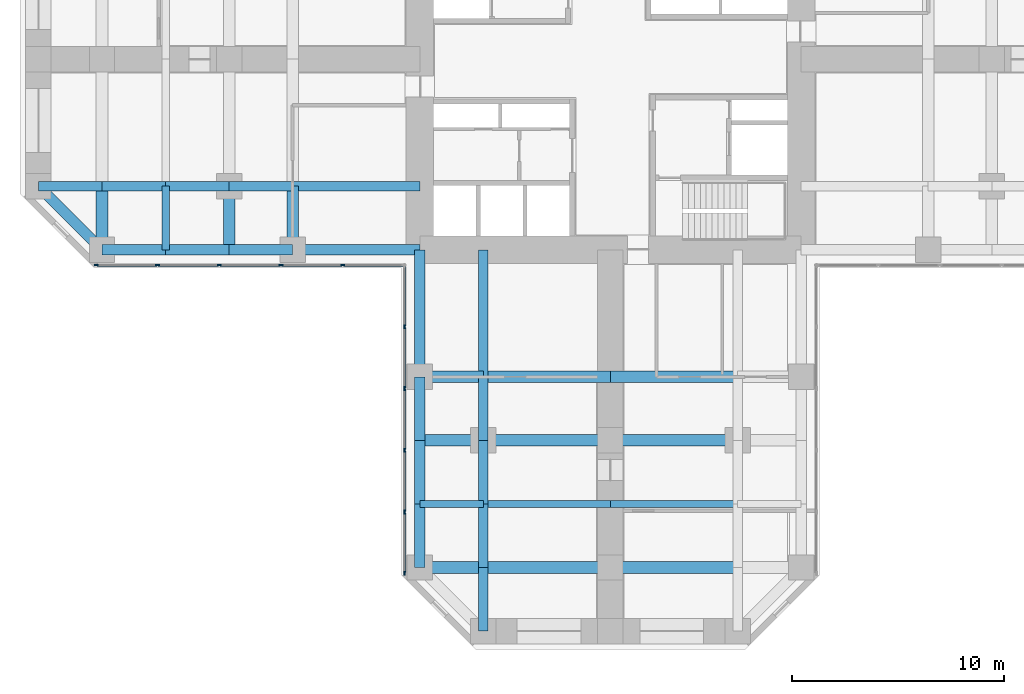
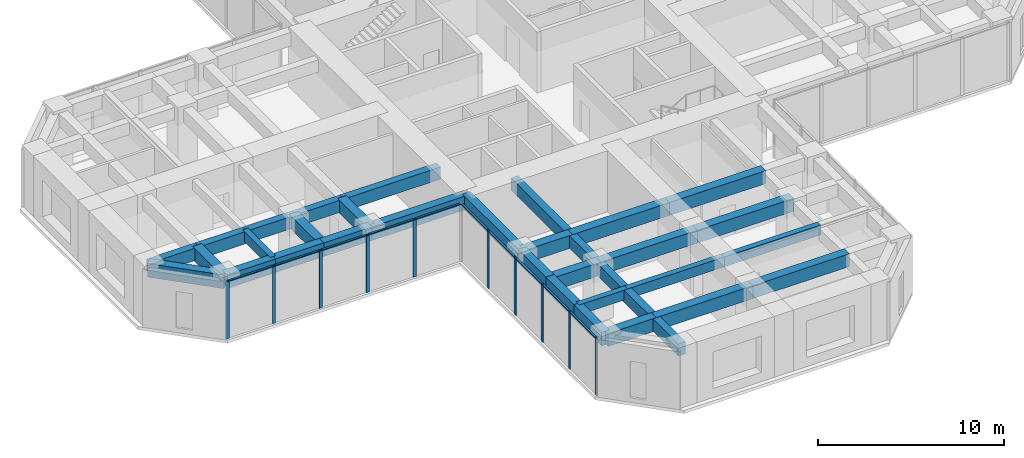
# One storey, part 2 of 12: 35 beams, 20 members, 2 elements without a shape of their own.
"""IFC4 building model written with IfcOpenShell, lengths in metres."""

from ifc_helpers import new_model, si_unit, direction, frame, origin, origin_2d, place, context, subcontext, project, spatial, rectangle, extrude, material, material_profile, profile_set, type_object, element, aggregate, save


model = new_model("IFC4")

# Units and contexts
model_context = context("Model", 3, precision=1e-05, world=origin(), true_north=direction((0.0, 1.0)))
body_context = subcontext(model_context, "Body", "Model", "MODEL_VIEW")
ifc_project = project(units=[si_unit("LENGTHUNIT", "METRE"), si_unit("AREAUNIT", "SQUARE_METRE"), si_unit("VOLUMEUNIT", "CUBIC_METRE"), si_unit("PLANEANGLEUNIT", "RADIAN"), si_unit("MASSUNIT", "GRAM", prefix="KILO")], contexts=[model_context])

# Site, building, storey
site_placement = place(None, origin())
site = spatial("IfcSite", under=ifc_project, at=site_placement, CompositionType="ELEMENT")
building_placement = place(site_placement, origin())
building = spatial("IfcBuilding", under=site, at=building_placement, Name="Torre Cruceta", CompositionType="ELEMENT")
storey_placement = place(building_placement, frame((0.0, 0.0, 75.5)))
storey = spatial("IfcBuildingStorey", under=building, at=storey_placement, Name="L18", CompositionType="ELEMENT", Elevation=75.5)

# Beams
ifc_material_1 = material(Name="Concrete G60 (fck 60 MPa)", Category="concrete")
ifc_material_profile_1 = material_profile(ifc_material_1, rectangle(XDim=0.449951171875, YDim=0.800048828125, at=origin_2d()), Name="RC 450X800")
ifc_profile_set_1 = profile_set([ifc_material_profile_1], Name="Concrete G60 (fck 60 MPa)")
beam_type_1 = type_object("IfcBeamType", Name="COLUMN LINE BEAM RC 450X800", PredefinedType="BEAM", material=ifc_profile_set_1)
beam_1_placement = place(storey_placement, frame((-6.0, -9.0, 3.39990234375), z_axis=(0.0, -1.0, 0.0), x_axis=(1.0, 0.0, 0.0)))
element("IfcBeam", 1, at=beam_1_placement, inside=storey, type_object=beam_type_1, Name="LB1 L18 S col- 1", PredefinedType="BEAM", context=body_context, shape_type="SweptSolid", body=[
    extrude(rectangle(XDim=0.449951171875, YDim=0.800048828125, at=origin_2d()), origin(), (0.0, 0.0, 1.0), 6.0),
])
for number, where, z_axis, x_axis, name in (
    (2, (-6.0, -15.0, 3.39990234375), (0.0, -1.0, 0.0), (1.0, 0.0, 0.0), "LB1 L18 S col- 2"),
    (3, (-6.0, -18.0, 3.39990234375), (0.0, -1.0, 0.0), (1.0, 0.0, 0.0), "LB1 L18 S col- 3"),
    (4, (-6.0, -21.0, 3.39990234375), (0.0, -1.0, 0.0), (1.0, 0.0, 0.0), "LB1 L18 S col- 4"),
    (5, (-6.0, -24.0, 3.39990234375), (0.0, -1.0, 0.0), (1.0, 0.0, 0.0), "LB1 L18 S col- 5"),
):
    element("IfcBeam", number, at=place(storey_placement, frame(where, z_axis=z_axis, x_axis=x_axis)), inside=storey, type_object=beam_type_1, Name=name, PredefinedType="BEAM", context=body_context, shape_type="SweptSolid", body=[
        extrude(rectangle(XDim=0.449951171875, YDim=0.800048828125, at=origin_2d()), origin(), (0.0, 0.0, 1.0), 3.0),
    ])
beam_2_placement = place(storey_placement, frame((-9.0, -6.0, 3.39990234375), z_axis=(-1.0, 0.0, 0.0), x_axis=(0.0, -1.0, 0.0)))
element("IfcBeam", 6, at=beam_2_placement, inside=storey, type_object=beam_type_1, Name="LB1 L18 W col+ 1", PredefinedType="BEAM", context=body_context, shape_type="SweptSolid", body=[
    extrude(rectangle(XDim=0.449951171875, YDim=0.800048828125, at=origin_2d()), origin(), (0.0, 0.0, 1.0), 6.0),
])
for number, where, z_axis, x_axis, name in (
    (7, (-15.0, -6.0, 3.39990234375), (-1.0, 0.0, 0.0), (0.0, -1.0, 0.0), "LB1 L18 W col+ 2"),
    (8, (-18.0, -6.0, 3.39990234375), (-1.0, 0.0, 0.0), (0.0, -1.0, 0.0), "LB1 L18 W col+ 3"),
    (9, (-21.0, -6.0, 3.39990234375), (-1.0, 0.0, 0.0), (0.0, -1.0, 0.0), "LB1 L18 W col+ 4"),
    (10, (-24.0, -6.0, 3.39990234375), (-1.0, 0.0, 0.0), (0.0, -1.0, 0.0), "LB1 L18 W col+ 5"),
):
    element("IfcBeam", number, at=place(storey_placement, frame(where, z_axis=z_axis, x_axis=x_axis)), inside=storey, type_object=beam_type_1, Name=name, PredefinedType="BEAM", context=body_context, shape_type="SweptSolid", body=[
        extrude(rectangle(XDim=0.449951171875, YDim=0.800048828125, at=origin_2d()), origin(), (0.0, 0.0, 1.0), 3.0),
    ])
ifc_material_2 = material(Name="Concrete G60 (fck 60 MPa)", Category="concrete")
ifc_material_profile_2 = material_profile(ifc_material_2, rectangle(XDim=0.550048828125, YDim=0.85009765625, at=origin_2d()), Name="RC 550X850")
ifc_profile_set_2 = profile_set([ifc_material_profile_2], Name="Concrete G60 (fck 60 MPa)")
beam_type_2 = type_object("IfcBeamType", Name="CROSS BEAM RC 550X850", PredefinedType="BEAM", material=ifc_profile_set_2)
beam_3_placement = place(storey_placement, frame((-9.0, -15.0, 3.375), z_axis=(1.0, 0.0, 0.0), x_axis=(0.0, 1.0, 0.0)))
element("IfcBeam", 11, at=beam_3_placement, inside=storey, type_object=beam_type_2, Name="GB4 L18 S cross15 1", PredefinedType="BEAM", context=body_context, shape_type="SweptSolid", body=[
    extrude(rectangle(XDim=0.550048828125, YDim=0.85009765625, at=origin_2d()), origin(), (0.0, 0.0, 1.0), 3.0),
])
for number, where, z_axis, x_axis, name in (
    (12, (-6.0, -15.0, 3.375), (1.0, 0.0, 0.0), (0.0, 1.0, 0.0), "GB4 L18 S cross15 2"),
    (13, (0.0, -15.0, 3.375), (1.0, 0.0, 0.0), (0.0, 1.0, 0.0), "GB4 L18 S cross15 3"),
):
    element("IfcBeam", number, at=place(storey_placement, frame(where, z_axis=z_axis, x_axis=x_axis)), inside=storey, type_object=beam_type_2, Name=name, PredefinedType="BEAM", context=body_context, shape_type="SweptSolid", body=[
        extrude(rectangle(XDim=0.550048828125, YDim=0.85009765625, at=origin_2d()), origin(), (0.0, 0.0, 1.0), 6.0),
    ])
beam_4_placement = place(storey_placement, frame((-9.0, -18.0, 3.375), z_axis=(1.0, 0.0, 0.0), x_axis=(0.0, 1.0, 0.0)))
element("IfcBeam", 14, at=beam_4_placement, inside=storey, type_object=beam_type_2, Name="GB4 L18 S cross18 1", PredefinedType="BEAM", context=body_context, shape_type="SweptSolid", body=[
    extrude(rectangle(XDim=0.550048828125, YDim=0.85009765625, at=origin_2d()), origin(), (0.0, 0.0, 1.0), 3.0),
])
for number, where, z_axis, x_axis, name in (
    (15, (-6.0, -18.0, 3.375), (1.0, 0.0, 0.0), (0.0, 1.0, 0.0), "GB4 L18 S cross18 2"),
    (16, (0.0, -18.0, 3.375), (1.0, 0.0, 0.0), (0.0, 1.0, 0.0), "GB4 L18 S cross18 3"),
):
    element("IfcBeam", number, at=place(storey_placement, frame(where, z_axis=z_axis, x_axis=x_axis)), inside=storey, type_object=beam_type_2, Name=name, PredefinedType="BEAM", context=body_context, shape_type="SweptSolid", body=[
        extrude(rectangle(XDim=0.550048828125, YDim=0.85009765625, at=origin_2d()), origin(), (0.0, 0.0, 1.0), 6.0),
    ])
beam_5_placement = place(storey_placement, frame((-9.0, -24.0, 3.375), z_axis=(1.0, 0.0, 0.0), x_axis=(0.0, 1.0, 0.0)))
element("IfcBeam", 17, at=beam_5_placement, inside=storey, type_object=beam_type_2, Name="GB4 L18 S cross24 1", PredefinedType="BEAM", context=body_context, shape_type="SweptSolid", body=[
    extrude(rectangle(XDim=0.550048828125, YDim=0.85009765625, at=origin_2d()), origin(), (0.0, 0.0, 1.0), 3.0),
])
for number, where, z_axis, x_axis, name in (
    (18, (-6.0, -24.0, 3.375), (1.0, 0.0, 0.0), (0.0, 1.0, 0.0), "GB4 L18 S cross24 2"),
    (19, (0.0, -24.0, 3.375), (1.0, 0.0, 0.0), (0.0, 1.0, 0.0), "GB4 L18 S cross24 3"),
):
    element("IfcBeam", number, at=place(storey_placement, frame(where, z_axis=z_axis, x_axis=x_axis)), inside=storey, type_object=beam_type_2, Name=name, PredefinedType="BEAM", context=body_context, shape_type="SweptSolid", body=[
        extrude(rectangle(XDim=0.550048828125, YDim=0.85009765625, at=origin_2d()), origin(), (0.0, 0.0, 1.0), 6.0),
    ])
for number, where, z_axis, x_axis, name in (
    (20, (-15.0, -6.0, 3.375), (0.0, -1.0, 0.0), (1.0, 0.0, 0.0), "GB4 L18 W cross15 4"),
    (21, (-18.0, -6.0, 3.375), (0.0, -1.0, 0.0), (1.0, 0.0, 0.0), "GB4 L18 W cross18 4"),
    (22, (-24.0, -6.0, 3.375), (0.0, -1.0, 0.0), (1.0, 0.0, 0.0), "GB4 L18 W cross24 4"),
):
    element("IfcBeam", number, at=place(storey_placement, frame(where, z_axis=z_axis, x_axis=x_axis)), inside=storey, type_object=beam_type_2, Name=name, PredefinedType="BEAM", context=body_context, shape_type="SweptSolid", body=[
        extrude(rectangle(XDim=0.550048828125, YDim=0.85009765625, at=origin_2d()), origin(), (0.0, 0.0, 1.0), 3.0),
    ])

# Curtain wall, members
ifc_material_3 = material(Name="Aluminium unitised curtain wall", Category="aluminium")
curtain_wall_type = type_object("IfcCurtainWallType", Name="CURTAIN WALL CW-A OFFICE LOW RISE", PredefinedType="USERDEFINED", material=ifc_material_3)
curtain_wall_1_placement = place(storey_placement, origin())
curtain_wall_1 = element("IfcCurtainWall", 23, at=curtain_wall_1_placement, inside=storey, type_object=curtain_wall_type, Name="CW-A L18 W side 14", ObjectType="UNITISED", PredefinedType="USERDEFINED")
ifc_material_4 = material(Name="Aluminium mullion", Category="aluminium")
ifc_material_profile_3 = material_profile(ifc_material_4, rectangle(XDim=0.06494140625, YDim=0.199951171875, at=origin_2d()), Name="AL 65X200")
ifc_profile_set_3 = profile_set([ifc_material_profile_3], Name="Aluminium mullion")
member_type_1 = type_object("IfcMemberType", Name="CW-A MULLION 65X200", PredefinedType="MULLION", material=ifc_profile_set_3)
member_1_placement = place(storey_placement, frame((-24.265625, -9.719970703125, 0.0), z_axis=(0.0, 0.0, 1.0), x_axis=(0.0, 1.0, 0.0)))
member_1 = element("IfcMember", 24, at=member_1_placement, type_object=member_type_1, Name="CW-A mullion 1", PredefinedType="MULLION", context=body_context, shape_type="SweptSolid", body=[
    extrude(rectangle(XDim=0.06494140625, YDim=0.199951171875, at=origin_2d()), origin(), (0.0, 0.0, 1.0), 3.800048828125),
])
member_2_placement = place(storey_placement, frame((-21.382568359375, -9.719970703125, 0.0), z_axis=(0.0, 0.0, 1.0), x_axis=(0.0, 1.0, 0.0)))
member_2 = element("IfcMember", 25, at=member_2_placement, type_object=member_type_1, Name="CW-A mullion 2", PredefinedType="MULLION", context=body_context, shape_type="SweptSolid", body=[
    extrude(rectangle(XDim=0.06494140625, YDim=0.199951171875, at=origin_2d()), origin(), (0.0, 0.0, 1.0), 3.800048828125),
])
member_3_placement = place(storey_placement, frame((-18.467041015625, -9.719970703125, 0.0), z_axis=(0.0, 0.0, 1.0), x_axis=(0.0, 1.0, 0.0)))
member_3 = element("IfcMember", 26, at=member_3_placement, type_object=member_type_1, Name="CW-A mullion 3", PredefinedType="MULLION", context=body_context, shape_type="SweptSolid", body=[
    extrude(rectangle(XDim=0.06494140625, YDim=0.199951171875, at=origin_2d()), origin(), (0.0, 0.0, 1.0), 3.800048828125),
])
member_4_placement = place(storey_placement, frame((-15.55126953125, -9.719970703125, 0.0), z_axis=(0.0, 0.0, 1.0), x_axis=(0.0, 1.0, 0.0)))
member_4 = element("IfcMember", 27, at=member_4_placement, type_object=member_type_1, Name="CW-A mullion 4", PredefinedType="MULLION", context=body_context, shape_type="SweptSolid", body=[
    extrude(rectangle(XDim=0.06494140625, YDim=0.199951171875, at=origin_2d()), origin(), (0.0, 0.0, 1.0), 3.800048828125),
])
member_5_placement = place(storey_placement, frame((-12.6357421875, -9.719970703125, 0.0), z_axis=(0.0, 0.0, 1.0), x_axis=(0.0, 1.0, 0.0)))
member_5 = element("IfcMember", 28, at=member_5_placement, type_object=member_type_1, Name="CW-A mullion 5", PredefinedType="MULLION", context=body_context, shape_type="SweptSolid", body=[
    extrude(rectangle(XDim=0.06494140625, YDim=0.199951171875, at=origin_2d()), origin(), (0.0, 0.0, 1.0), 3.800048828125),
])

curtain_wall_2_placement = place(storey_placement, origin())
curtain_wall_2 = element("IfcCurtainWall", 29, at=curtain_wall_2_placement, inside=storey, type_object=curtain_wall_type, Name="CW-A L18 S side 15", ObjectType="UNITISED", PredefinedType="USERDEFINED")
member_6_placement = place(storey_placement, frame((-9.719970703125, -12.6357421875, 0.0), z_axis=(0.0, 0.0, 1.0), x_axis=(1.0, 0.0, 0.0)))
member_6 = element("IfcMember", 30, at=member_6_placement, type_object=member_type_1, Name="CW-A mullion 2", PredefinedType="MULLION", context=body_context, shape_type="SweptSolid", body=[
    extrude(rectangle(XDim=0.06494140625, YDim=0.199951171875, at=origin_2d()), origin(), (0.0, 0.0, 1.0), 3.800048828125),
])
member_7_placement = place(storey_placement, frame((-9.719970703125, -15.55126953125, 0.0), z_axis=(0.0, 0.0, 1.0), x_axis=(1.0, 0.0, 0.0)))
member_7 = element("IfcMember", 31, at=member_7_placement, type_object=member_type_1, Name="CW-A mullion 3", PredefinedType="MULLION", context=body_context, shape_type="SweptSolid", body=[
    extrude(rectangle(XDim=0.06494140625, YDim=0.199951171875, at=origin_2d()), origin(), (0.0, 0.0, 1.0), 3.800048828125),
])
member_8_placement = place(storey_placement, frame((-9.719970703125, -18.467041015625, 0.0), z_axis=(0.0, 0.0, 1.0), x_axis=(1.0, 0.0, 0.0)))
member_8 = element("IfcMember", 32, at=member_8_placement, type_object=member_type_1, Name="CW-A mullion 4", PredefinedType="MULLION", context=body_context, shape_type="SweptSolid", body=[
    extrude(rectangle(XDim=0.06494140625, YDim=0.199951171875, at=origin_2d()), origin(), (0.0, 0.0, 1.0), 3.800048828125),
])
member_9_placement = place(storey_placement, frame((-9.719970703125, -21.382568359375, 0.0), z_axis=(0.0, 0.0, 1.0), x_axis=(1.0, 0.0, 0.0)))
member_9 = element("IfcMember", 33, at=member_9_placement, type_object=member_type_1, Name="CW-A mullion 5", PredefinedType="MULLION", context=body_context, shape_type="SweptSolid", body=[
    extrude(rectangle(XDim=0.06494140625, YDim=0.199951171875, at=origin_2d()), origin(), (0.0, 0.0, 1.0), 3.800048828125),
])
member_10_placement = place(storey_placement, frame((-9.719970703125, -24.265625, 0.0), z_axis=(0.0, 0.0, 1.0), x_axis=(1.0, 0.0, 0.0)))
member_10 = element("IfcMember", 34, at=member_10_placement, type_object=member_type_1, Name="CW-A mullion 6", PredefinedType="MULLION", context=body_context, shape_type="SweptSolid", body=[
    extrude(rectangle(XDim=0.06494140625, YDim=0.199951171875, at=origin_2d()), origin(), (0.0, 0.0, 1.0), 3.800048828125),
])

# Member
ifc_material_5 = material(Name="Aluminium transom", Category="aluminium")
ifc_material_profile_4 = material_profile(ifc_material_5, rectangle(XDim=0.1201171875, YDim=0.06494140625, at=origin_2d()), Name="AL 120X65")
ifc_profile_set_4 = profile_set([ifc_material_profile_4], Name="Aluminium transom")
member_type_2 = type_object("IfcMemberType", Name="CW-A TRANSOM 65X120", PredefinedType="USERDEFINED", material=ifc_profile_set_4)
member_11_placement = place(storey_placement, frame((-24.233154296875, -9.719970703125, 3.767578125), z_axis=(1.0, 0.0, 0.0), x_axis=(0.0, 1.0, 0.0)))
member_11 = element("IfcMember", 35, at=member_11_placement, type_object=member_type_2, Name="CW-A transom 1", ObjectType="TRANSOM", PredefinedType="USERDEFINED", context=body_context, shape_type="SweptSolid", body=[
    extrude(rectangle(XDim=0.1201171875, YDim=0.06494140625, at=origin_2d()), origin(), (0.0, 0.0, 1.0), 2.818115234375),
])

member_12_placement = place(storey_placement, frame((-21.35009765625, -9.719970703125, 3.767578125), z_axis=(1.0, 0.0, 0.0), x_axis=(0.0, 1.0, 0.0)))
member_12 = element("IfcMember", 36, at=member_12_placement, type_object=member_type_2, Name="CW-A transom 2", ObjectType="TRANSOM", PredefinedType="USERDEFINED", context=body_context, shape_type="SweptSolid", body=[
    extrude(rectangle(XDim=0.1201171875, YDim=0.06494140625, at=origin_2d()), origin(), (0.0, 0.0, 1.0), 2.8505859375),
])

member_13_placement = place(storey_placement, frame((-18.434326171875, -9.719970703125, 3.767578125), z_axis=(1.0, 0.0, 0.0), x_axis=(0.0, 1.0, 0.0)))
member_13 = element("IfcMember", 37, at=member_13_placement, type_object=member_type_2, Name="CW-A transom 3", ObjectType="TRANSOM", PredefinedType="USERDEFINED", context=body_context, shape_type="SweptSolid", body=[
    extrude(rectangle(XDim=0.1201171875, YDim=0.06494140625, at=origin_2d()), origin(), (0.0, 0.0, 1.0), 2.8505859375),
])

member_14_placement = place(storey_placement, frame((-15.518798828125, -9.719970703125, 3.767578125), z_axis=(1.0, 0.0, 0.0), x_axis=(0.0, 1.0, 0.0)))
member_14 = element("IfcMember", 38, at=member_14_placement, type_object=member_type_2, Name="CW-A transom 4", ObjectType="TRANSOM", PredefinedType="USERDEFINED", context=body_context, shape_type="SweptSolid", body=[
    extrude(rectangle(XDim=0.1201171875, YDim=0.06494140625, at=origin_2d()), origin(), (0.0, 0.0, 1.0), 2.8505859375),
])

member_15_placement = place(storey_placement, frame((-12.60302734375, -9.719970703125, 3.767578125), z_axis=(1.0, 0.0, 0.0), x_axis=(0.0, 1.0, 0.0)))
member_15 = element("IfcMember", 39, at=member_15_placement, type_object=member_type_2, Name="CW-A transom 5", ObjectType="TRANSOM", PredefinedType="USERDEFINED", context=body_context, shape_type="SweptSolid", body=[
    extrude(rectangle(XDim=0.1201171875, YDim=0.06494140625, at=origin_2d()), origin(), (0.0, 0.0, 1.0), 2.818115234375),
])

aggregate(curtain_wall_1, [member_1, member_2, member_3, member_4, member_5, member_11, member_12, member_13, member_14, member_15])

member_16_placement = place(storey_placement, frame((-9.719970703125, -9.784912109375, 3.767578125), z_axis=(0.0, -1.0, 0.0), x_axis=(1.0, 0.0, 0.0)))
member_16 = element("IfcMember", 40, at=member_16_placement, type_object=member_type_2, Name="CW-A transom 1", ObjectType="TRANSOM", PredefinedType="USERDEFINED", context=body_context, shape_type="SweptSolid", body=[
    extrude(rectangle(XDim=0.1201171875, YDim=0.06494140625, at=origin_2d()), origin(), (0.0, 0.0, 1.0), 2.818115234375),
])

member_17_placement = place(storey_placement, frame((-9.719970703125, -12.668212890625, 3.767578125), z_axis=(0.0, -1.0, 0.0), x_axis=(1.0, 0.0, 0.0)))
member_17 = element("IfcMember", 41, at=member_17_placement, type_object=member_type_2, Name="CW-A transom 2", ObjectType="TRANSOM", PredefinedType="USERDEFINED", context=body_context, shape_type="SweptSolid", body=[
    extrude(rectangle(XDim=0.1201171875, YDim=0.06494140625, at=origin_2d()), origin(), (0.0, 0.0, 1.0), 2.8505859375),
])

member_18_placement = place(storey_placement, frame((-9.719970703125, -15.583740234375, 3.767578125), z_axis=(0.0, -1.0, 0.0), x_axis=(1.0, 0.0, 0.0)))
member_18 = element("IfcMember", 42, at=member_18_placement, type_object=member_type_2, Name="CW-A transom 3", ObjectType="TRANSOM", PredefinedType="USERDEFINED", context=body_context, shape_type="SweptSolid", body=[
    extrude(rectangle(XDim=0.1201171875, YDim=0.06494140625, at=origin_2d()), origin(), (0.0, 0.0, 1.0), 2.8505859375),
])

member_19_placement = place(storey_placement, frame((-9.719970703125, -18.49951171875, 3.767578125), z_axis=(0.0, -1.0, 0.0), x_axis=(1.0, 0.0, 0.0)))
member_19 = element("IfcMember", 43, at=member_19_placement, type_object=member_type_2, Name="CW-A transom 4", ObjectType="TRANSOM", PredefinedType="USERDEFINED", context=body_context, shape_type="SweptSolid", body=[
    extrude(rectangle(XDim=0.1201171875, YDim=0.06494140625, at=origin_2d()), origin(), (0.0, 0.0, 1.0), 2.8505859375),
])

member_20_placement = place(storey_placement, frame((-9.719970703125, -21.4150390625, 3.767578125), z_axis=(0.0, -1.0, 0.0), x_axis=(1.0, 0.0, 0.0)))
member_20 = element("IfcMember", 44, at=member_20_placement, type_object=member_type_2, Name="CW-A transom 5", ObjectType="TRANSOM", PredefinedType="USERDEFINED", context=body_context, shape_type="SweptSolid", body=[
    extrude(rectangle(XDim=0.1201171875, YDim=0.06494140625, at=origin_2d()), origin(), (0.0, 0.0, 1.0), 2.818115234375),
])

aggregate(curtain_wall_2, [member_6, member_7, member_8, member_9, member_10, member_16, member_17, member_18, member_19, member_20])

# Beams
ifc_material_6 = material(Name="Concrete G60 (fck 60 MPa)", Category="concrete")
ifc_material_profile_5 = material_profile(ifc_material_6, rectangle(XDim=0.35009765625, YDim=0.64990234375, at=origin_2d()), Name="RC 350X650")
ifc_profile_set_5 = profile_set([ifc_material_profile_5], Name="Concrete G60 (fck 60 MPa)")
beam_type_3 = type_object("IfcBeamType", Name="SECONDARY BEAM RC 350X650", PredefinedType="JOIST", material=ifc_profile_set_5)
beam_6_placement = place(storey_placement, frame((-9.0, -21.0, 3.47509765625), z_axis=(1.0, 0.0, 0.0), x_axis=(0.0, 1.0, 0.0)))
element("IfcBeam", 45, at=beam_6_placement, inside=storey, type_object=beam_type_3, Name="JB3 L18 S sec21 1", PredefinedType="JOIST", context=body_context, shape_type="SweptSolid", body=[
    extrude(rectangle(XDim=0.35009765625, YDim=0.64990234375, at=origin_2d()), origin(), (0.0, 0.0, 1.0), 3.0),
])
for number, where, z_axis, x_axis, name in (
    (46, (-6.0, -21.0, 3.47509765625), (1.0, 0.0, 0.0), (0.0, 1.0, 0.0), "JB3 L18 S sec21 2"),
    (47, (0.0, -21.0, 3.47509765625), (1.0, 0.0, 0.0), (0.0, 1.0, 0.0), "JB3 L18 S sec21 3"),
):
    element("IfcBeam", number, at=place(storey_placement, frame(where, z_axis=z_axis, x_axis=x_axis)), inside=storey, type_object=beam_type_3, Name=name, PredefinedType="JOIST", context=body_context, shape_type="SweptSolid", body=[
        extrude(rectangle(XDim=0.35009765625, YDim=0.64990234375, at=origin_2d()), origin(), (0.0, 0.0, 1.0), 6.0),
    ])
beam_7_placement = place(storey_placement, frame((-21.0, -6.0, 3.47509765625), z_axis=(0.0, -1.0, 0.0), x_axis=(1.0, 0.0, 0.0)))
element("IfcBeam", 48, at=beam_7_placement, inside=storey, type_object=beam_type_3, Name="JB3 L18 W sec21 4", PredefinedType="JOIST", context=body_context, shape_type="SweptSolid", body=[
    extrude(rectangle(XDim=0.35009765625, YDim=0.64990234375, at=origin_2d()), origin(), (0.0, 0.0, 1.0), 3.0),
])
ifc_material_7 = material(Name="Concrete G60 (fck 60 MPa)", Category="concrete")
ifc_material_profile_6 = material_profile(ifc_material_7, rectangle(XDim=0.5, YDim=0.89990234375, at=origin_2d()), Name="RC 500X900")
ifc_profile_set_6 = profile_set([ifc_material_profile_6], Name="Concrete G60 (fck 60 MPa)")
beam_type_4 = type_object("IfcBeamType", Name="SPANDREL BEAM RC 500X900", PredefinedType="SPANDREL", material=ifc_profile_set_6)
beam_8_placement = place(storey_placement, frame((-9.0, -9.0, 3.35009765625), z_axis=(0.0, -1.0, 0.0), x_axis=(1.0, 0.0, 0.0)))
element("IfcBeam", 49, at=beam_8_placement, inside=storey, type_object=beam_type_4, Name="SB4 L18 S side- 1", PredefinedType="SPANDREL", context=body_context, shape_type="SweptSolid", body=[
    extrude(rectangle(XDim=0.5, YDim=0.89990234375, at=origin_2d()), origin(), (0.0, 0.0, 1.0), 6.0),
])
for number, where, z_axis, x_axis, name in (
    (50, (-9.0, -15.0, 3.35009765625), (0.0, -1.0, 0.0), (1.0, 0.0, 0.0), "SB4 L18 S side- 2"),
    (51, (-9.0, -18.0, 3.35009765625), (0.0, -1.0, 0.0), (1.0, 0.0, 0.0), "SB4 L18 S side- 3"),
    (52, (-9.0, -21.0, 3.35009765625), (0.0, -1.0, 0.0), (1.0, 0.0, 0.0), "SB4 L18 S side- 4"),
):
    element("IfcBeam", number, at=place(storey_placement, frame(where, z_axis=z_axis, x_axis=x_axis)), inside=storey, type_object=beam_type_4, Name=name, PredefinedType="SPANDREL", context=body_context, shape_type="SweptSolid", body=[
        extrude(rectangle(XDim=0.5, YDim=0.89990234375, at=origin_2d()), origin(), (0.0, 0.0, 1.0), 3.0),
    ])
beam_9_placement = place(storey_placement, frame((-9.0, -9.0, 3.35009765625), z_axis=(-1.0, 0.0, 0.0), x_axis=(0.0, -1.0, 0.0)))
element("IfcBeam", 53, at=beam_9_placement, inside=storey, type_object=beam_type_4, Name="SB4 L18 W side+ 1", PredefinedType="SPANDREL", context=body_context, shape_type="SweptSolid", body=[
    extrude(rectangle(XDim=0.5, YDim=0.89990234375, at=origin_2d()), origin(), (0.0, 0.0, 1.0), 6.0),
])
for number, where, z_axis, x_axis, name in (
    (54, (-15.0, -9.0, 3.35009765625), (-1.0, 0.0, 0.0), (0.0, -1.0, 0.0), "SB4 L18 W side+ 2"),
    (55, (-18.0, -9.0, 3.35009765625), (-1.0, 0.0, 0.0), (0.0, -1.0, 0.0), "SB4 L18 W side+ 3"),
    (56, (-21.0, -9.0, 3.35009765625), (-1.0, 0.0, 0.0), (0.0, -1.0, 0.0), "SB4 L18 W side+ 4"),
):
    element("IfcBeam", number, at=place(storey_placement, frame(where, z_axis=z_axis, x_axis=x_axis)), inside=storey, type_object=beam_type_4, Name=name, PredefinedType="SPANDREL", context=body_context, shape_type="SweptSolid", body=[
        extrude(rectangle(XDim=0.5, YDim=0.89990234375, at=origin_2d()), origin(), (0.0, 0.0, 1.0), 3.0),
    ])
beam_10_placement = place(storey_placement, frame((-24.0, -9.0, 3.35009765625), z_axis=(-0.707106781187, 0.707106781187, 0.0), x_axis=(-0.707106781187, -0.707106781187, 0.0)))
element("IfcBeam", 57, at=beam_10_placement, inside=storey, type_object=beam_type_4, Name="SB4 L18 W side+ 5", PredefinedType="SPANDREL", context=body_context, shape_type="SweptSolid", body=[
    extrude(rectangle(XDim=0.5, YDim=0.89990234375, at=origin_2d()), origin(), (0.0, 0.0, 1.0), 4.24267578125),
])

save(model, "model.ifc")
